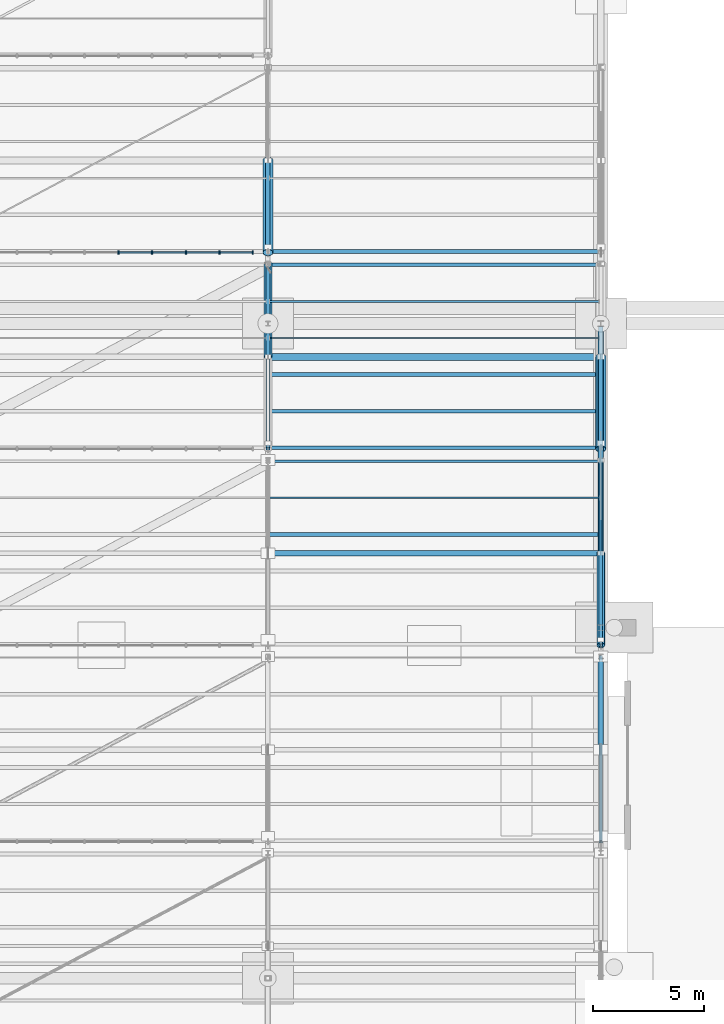
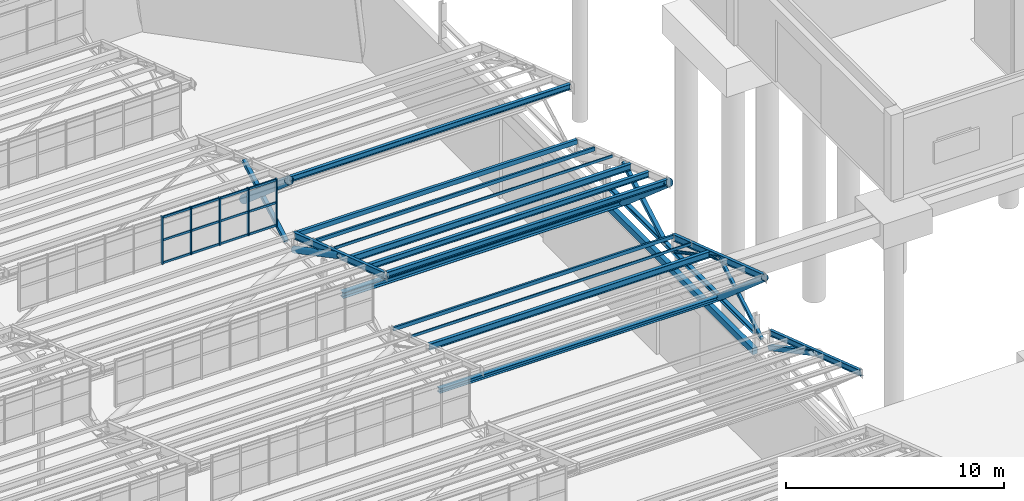
# One storey, part 124 of 285: 28 members, 15 beams, 1 element without a shape of its own.
"""IFC4 building model written with IfcOpenShell, lengths in metres."""

from ifc_helpers import new_model, si_unit, direction, frame, origin, origin_2d, place, context, subcontext, project, spatial, rectangle, hollow_rectangle, hollow_circle, i_section, extrude, material, material_profile, profile_set, type_object, element, aggregate, save


model = new_model("IFC4")

# Units and contexts
model_context = context("Model", 3, precision=1e-05, world=origin(), true_north=direction((0.0, 1.0)))
body_context = subcontext(model_context, "Body", "Model", "MODEL_VIEW")
ifc_project = project(units=[si_unit("LENGTHUNIT", "METRE"), si_unit("AREAUNIT", "SQUARE_METRE"), si_unit("VOLUMEUNIT", "CUBIC_METRE"), si_unit("PLANEANGLEUNIT", "RADIAN"), si_unit("MASSUNIT", "GRAM", prefix="KILO")], contexts=[model_context])

# Site, building, storey
site_placement = place(None, origin())
site = spatial("IfcSite", under=ifc_project, at=site_placement, CompositionType="ELEMENT")
building_placement = place(site_placement, origin())
building = spatial("IfcBuilding", under=site, at=building_placement, Name="Solanera Park Tramway Depot", CompositionType="ELEMENT")
storey_placement = place(building_placement, origin())
storey = spatial("IfcBuildingStorey", under=building, at=storey_placement, Name="L00", CompositionType="ELEMENT", Elevation=0.0)

# Curtain wall, members
ifc_material_1 = material(Name="Bronze-anodised thermally broken aluminium curtain wall", Category="aluminium")
curtain_wall_type = type_object("IfcCurtainWallType", Name="Sawtooth Clerestory Monitor Curtain Wall", PredefinedType="NOTDEFINED", material=ifc_material_1)
curtain_wall_placement = place(storey_placement, origin())
curtain_wall = element("IfcCurtainWall", 1, at=curtain_wall_placement, inside=storey, type_object=curtain_wall_type, Name="L00 Sawtooth Clerestory Monitor Curtain Wall #059", PredefinedType="NOTDEFINED")
ifc_material_2 = material(Name="Bronze-anodised structural aluminium 6063-T6", Category="aluminium")
ifc_material_profile_1 = material_profile(ifc_material_2, rectangle(XDim=0.06494140625, YDim=0.14990234375, at=origin_2d()), Name="Curtain Wall Mullion 65x150")
ifc_profile_set_1 = profile_set([ifc_material_profile_1], Name="Bronze-anodised structural aluminium 6063-T6")
member_type_1 = type_object("IfcMemberType", Name="Curtain Wall Mullion 65x150", PredefinedType="MULLION", material=ifc_profile_set_1)
member_1_placement = place(storey_placement, frame((128.260986328125, 117.699951171875, 7.75), z_axis=(0.0, 0.0, 1.0), x_axis=(1.0, 0.0, 0.0)))
member_1 = element("IfcMember", 2, at=member_1_placement, type_object=member_type_1, Name="CW-L00-059 Mullion 6", PredefinedType="MULLION", context=body_context, shape_type="SweptSolid", body=[
    extrude(rectangle(XDim=0.06494140625, YDim=0.14990234375, at=origin_2d()), origin(), (0.0, 0.0, 1.0), 2.6611328125),
])
member_2_placement = place(storey_placement, frame((129.783203125, 117.699951171875, 7.75), z_axis=(0.0, 0.0, 1.0), x_axis=(1.0, 0.0, 0.0)))
member_2 = element("IfcMember", 3, at=member_2_placement, type_object=member_type_1, Name="CW-L00-059 Mullion 7", PredefinedType="MULLION", context=body_context, shape_type="SweptSolid", body=[
    extrude(rectangle(XDim=0.06494140625, YDim=0.14990234375, at=origin_2d()), origin(), (0.0, 0.0, 1.0), 2.6611328125),
])
member_3_placement = place(storey_placement, frame((131.3056640625, 117.699951171875, 7.75), z_axis=(0.0, 0.0, 1.0), x_axis=(1.0, 0.0, 0.0)))
member_3 = element("IfcMember", 4, at=member_3_placement, type_object=member_type_1, Name="CW-L00-059 Mullion 8", PredefinedType="MULLION", context=body_context, shape_type="SweptSolid", body=[
    extrude(rectangle(XDim=0.06494140625, YDim=0.14990234375, at=origin_2d()), origin(), (0.0, 0.0, 1.0), 2.6611328125),
])
member_4_placement = place(storey_placement, frame((132.827880859375, 117.699951171875, 7.75), z_axis=(0.0, 0.0, 1.0), x_axis=(1.0, 0.0, 0.0)))
member_4 = element("IfcMember", 5, at=member_4_placement, type_object=member_type_1, Name="CW-L00-059 Mullion 9", PredefinedType="MULLION", context=body_context, shape_type="SweptSolid", body=[
    extrude(rectangle(XDim=0.06494140625, YDim=0.14990234375, at=origin_2d()), origin(), (0.0, 0.0, 1.0), 2.6611328125),
])
member_5_placement = place(storey_placement, frame((134.3173828125, 117.699951171875, 7.75), z_axis=(0.0, 0.0, 1.0), x_axis=(1.0, 0.0, 0.0)))
member_5 = element("IfcMember", 6, at=member_5_placement, type_object=member_type_1, Name="CW-L00-059 Mullion 10", PredefinedType="MULLION", context=body_context, shape_type="SweptSolid", body=[
    extrude(rectangle(XDim=0.06494140625, YDim=0.14990234375, at=origin_2d()), origin(), (0.0, 0.0, 1.0), 2.6611328125),
])
ifc_material_3 = material(Name="Bronze-anodised structural aluminium 6063-T6", Category="aluminium")
ifc_material_profile_2 = material_profile(ifc_material_3, rectangle(XDim=0.06494140625, YDim=0.1201171875, at=origin_2d()), Name="Curtain Wall Transom 65x120")
ifc_profile_set_2 = profile_set([ifc_material_profile_2], Name="Bronze-anodised structural aluminium 6063-T6")
member_type_2 = type_object("IfcMemberType", Name="Curtain Wall Transom 65x120", PredefinedType="USERDEFINED", material=ifc_profile_set_2)
member_6_placement = place(storey_placement, frame((128.2890625, 117.699951171875, 7.81005859375), z_axis=(1.0, 0.0, 0.0), x_axis=(0.0, 1.0, 0.0)))
member_6 = element("IfcMember", 7, at=member_6_placement, type_object=member_type_2, Name="CW-L00-059 Transom R1.C6", ObjectType="TRANSOM", PredefinedType="USERDEFINED", context=body_context, shape_type="SweptSolid", body=[
    extrude(rectangle(XDim=0.06494140625, YDim=0.1201171875, at=origin_2d()), origin(), (0.0, 0.0, 1.0), 1.46630859375),
])
member_7_placement = place(storey_placement, frame((129.811279296875, 117.699951171875, 7.81005859375), z_axis=(1.0, 0.0, 0.0), x_axis=(0.0, 1.0, 0.0)))
member_7 = element("IfcMember", 8, at=member_7_placement, type_object=member_type_2, Name="CW-L00-059 Transom R1.C7", ObjectType="TRANSOM", PredefinedType="USERDEFINED", context=body_context, shape_type="SweptSolid", body=[
    extrude(rectangle(XDim=0.06494140625, YDim=0.1201171875, at=origin_2d()), origin(), (0.0, 0.0, 1.0), 1.46630859375),
])
member_8_placement = place(storey_placement, frame((131.33349609375, 117.699951171875, 7.81005859375), z_axis=(1.0, 0.0, 0.0), x_axis=(0.0, 1.0, 0.0)))
member_8 = element("IfcMember", 9, at=member_8_placement, type_object=member_type_2, Name="CW-L00-059 Transom R1.C8", ObjectType="TRANSOM", PredefinedType="USERDEFINED", context=body_context, shape_type="SweptSolid", body=[
    extrude(rectangle(XDim=0.06494140625, YDim=0.1201171875, at=origin_2d()), origin(), (0.0, 0.0, 1.0), 1.46630859375),
])
member_9_placement = place(storey_placement, frame((132.855712890625, 117.699951171875, 7.81005859375), z_axis=(1.0, 0.0, 0.0), x_axis=(0.0, 1.0, 0.0)))
member_9 = element("IfcMember", 10, at=member_9_placement, type_object=member_type_2, Name="CW-L00-059 Transom R1.C9", ObjectType="TRANSOM", PredefinedType="USERDEFINED", context=body_context, shape_type="SweptSolid", body=[
    extrude(rectangle(XDim=0.06494140625, YDim=0.1201171875, at=origin_2d()), origin(), (0.0, 0.0, 1.0), 1.433837890625),
])
member_10_placement = place(storey_placement, frame((128.2890625, 117.699951171875, 9.08056640625), z_axis=(1.0, 0.0, 0.0), x_axis=(0.0, 1.0, 0.0)))
member_10 = element("IfcMember", 11, at=member_10_placement, type_object=member_type_2, Name="CW-L00-059 Transom R2.C6", ObjectType="TRANSOM", PredefinedType="USERDEFINED", context=body_context, shape_type="SweptSolid", body=[
    extrude(rectangle(XDim=0.06494140625, YDim=0.1201171875, at=origin_2d()), origin(), (0.0, 0.0, 1.0), 1.46630859375),
])
member_11_placement = place(storey_placement, frame((129.811279296875, 117.699951171875, 9.08056640625), z_axis=(1.0, 0.0, 0.0), x_axis=(0.0, 1.0, 0.0)))
member_11 = element("IfcMember", 12, at=member_11_placement, type_object=member_type_2, Name="CW-L00-059 Transom R2.C7", ObjectType="TRANSOM", PredefinedType="USERDEFINED", context=body_context, shape_type="SweptSolid", body=[
    extrude(rectangle(XDim=0.06494140625, YDim=0.1201171875, at=origin_2d()), origin(), (0.0, 0.0, 1.0), 1.46630859375),
])
member_12_placement = place(storey_placement, frame((131.33349609375, 117.699951171875, 9.08056640625), z_axis=(1.0, 0.0, 0.0), x_axis=(0.0, 1.0, 0.0)))
member_12 = element("IfcMember", 13, at=member_12_placement, type_object=member_type_2, Name="CW-L00-059 Transom R2.C8", ObjectType="TRANSOM", PredefinedType="USERDEFINED", context=body_context, shape_type="SweptSolid", body=[
    extrude(rectangle(XDim=0.06494140625, YDim=0.1201171875, at=origin_2d()), origin(), (0.0, 0.0, 1.0), 1.46630859375),
])
member_13_placement = place(storey_placement, frame((132.855712890625, 117.699951171875, 9.08056640625), z_axis=(1.0, 0.0, 0.0), x_axis=(0.0, 1.0, 0.0)))
member_13 = element("IfcMember", 14, at=member_13_placement, type_object=member_type_2, Name="CW-L00-059 Transom R2.C9", ObjectType="TRANSOM", PredefinedType="USERDEFINED", context=body_context, shape_type="SweptSolid", body=[
    extrude(rectangle(XDim=0.06494140625, YDim=0.1201171875, at=origin_2d()), origin(), (0.0, 0.0, 1.0), 1.433837890625),
])
member_14_placement = place(storey_placement, frame((128.2890625, 117.699951171875, 10.351318359375), z_axis=(1.0, 0.0, 0.0), x_axis=(0.0, 1.0, 0.0)))
member_14 = element("IfcMember", 15, at=member_14_placement, type_object=member_type_2, Name="CW-L00-059 Transom R3.C6", ObjectType="TRANSOM", PredefinedType="USERDEFINED", context=body_context, shape_type="SweptSolid", body=[
    extrude(rectangle(XDim=0.06494140625, YDim=0.1201171875, at=origin_2d()), origin(), (0.0, 0.0, 1.0), 1.46630859375),
])
member_15_placement = place(storey_placement, frame((129.811279296875, 117.699951171875, 10.351318359375), z_axis=(1.0, 0.0, 0.0), x_axis=(0.0, 1.0, 0.0)))
member_15 = element("IfcMember", 16, at=member_15_placement, type_object=member_type_2, Name="CW-L00-059 Transom R3.C7", ObjectType="TRANSOM", PredefinedType="USERDEFINED", context=body_context, shape_type="SweptSolid", body=[
    extrude(rectangle(XDim=0.06494140625, YDim=0.1201171875, at=origin_2d()), origin(), (0.0, 0.0, 1.0), 1.46630859375),
])
member_16_placement = place(storey_placement, frame((131.33349609375, 117.699951171875, 10.351318359375), z_axis=(1.0, 0.0, 0.0), x_axis=(0.0, 1.0, 0.0)))
member_16 = element("IfcMember", 17, at=member_16_placement, type_object=member_type_2, Name="CW-L00-059 Transom R3.C8", ObjectType="TRANSOM", PredefinedType="USERDEFINED", context=body_context, shape_type="SweptSolid", body=[
    extrude(rectangle(XDim=0.06494140625, YDim=0.1201171875, at=origin_2d()), origin(), (0.0, 0.0, 1.0), 1.46630859375),
])
member_17_placement = place(storey_placement, frame((132.855712890625, 117.699951171875, 10.351318359375), z_axis=(1.0, 0.0, 0.0), x_axis=(0.0, 1.0, 0.0)))
member_17 = element("IfcMember", 18, at=member_17_placement, type_object=member_type_2, Name="CW-L00-059 Transom R3.C9", ObjectType="TRANSOM", PredefinedType="USERDEFINED", context=body_context, shape_type="SweptSolid", body=[
    extrude(rectangle(XDim=0.06494140625, YDim=0.1201171875, at=origin_2d()), origin(), (0.0, 0.0, 1.0), 1.433837890625),
])
aggregate(curtain_wall, [member_1, member_2, member_3, member_4, member_5, member_6, member_7, member_8, member_9, member_10, member_11, member_12, member_13, member_14, member_15, member_16, member_17])

# Beam
ifc_material_4 = material(Name="Concrete N40 (C40/50)", Category="concrete")
ifc_material_profile_3 = material_profile(ifc_material_4, rectangle(XDim=0.25, YDim=0.35009765625, at=origin_2d()), Name="LNT 250x350")
ifc_profile_set_3 = profile_set([ifc_material_profile_3], Name="Concrete N40 (C40/50)")
beam_type_1 = type_object("IfcBeamType", Name="Opening Lintel Beam LNT 250x350", PredefinedType="LINTEL", material=ifc_profile_set_3)
beam_1_placement = place(storey_placement, frame((150.0, 100.919921875, 5.425048828125), z_axis=(0.0, 1.0, 0.0), x_axis=(-1.0, 0.0, 0.0)))
element("IfcBeam", 19, at=beam_1_placement, inside=storey, type_object=beam_type_1, Name="L00 Portal Transom Lintel LNT 250x350 #0300", PredefinedType="LINTEL", context=body_context, shape_type="SweptSolid", body=[
    extrude(rectangle(XDim=0.25, YDim=0.35009765625, at=origin_2d()), origin(), (0.0, 0.0, 1.0), 13.4599609375),
])

# Members
ifc_material_5 = material(Name="Steel AS/NZS 1163 Grade C350L0", Category="steel")
ifc_material_profile_4 = material_profile(ifc_material_5, hollow_rectangle(XDim=0.14990234375, YDim=0.14990234375, WallThickness=0.006103515625, at=origin_2d()), Name="150x150x6.0 SHS")
ifc_profile_set_4 = profile_set([ifc_material_profile_4], Name="Steel AS/NZS 1163 Grade C350L0")
member_type_3 = type_object("IfcMemberType", Name="Roof Gantry Compression Strut 150x150x6.0 SHS", PredefinedType="STRUT", material=ifc_profile_set_4)
member_18_placement = place(storey_placement, frame((150.0, 100.25, 6.5), z_axis=(0.0, 0.869202540842, 0.49445620938), x_axis=(-1.0, 0.0, 0.0)))
element("IfcMember", 20, at=member_18_placement, inside=storey, type_object=member_type_3, Name="Sawtooth ROOF TRUSS Strut 150x150x6.0 SHS #0258", PredefinedType="STRUT", context=body_context, shape_type="SweptSolid", body=[
    extrude(hollow_rectangle(XDim=0.14990234375, YDim=0.14990234375, WallThickness=0.006103515625, at=origin_2d()), origin(), (0.0, 0.0, 1.0), 4.48681640625),
])
ifc_material_6 = material(Name="Steel AS/NZS 1163 Grade C350L0", Category="steel")
ifc_material_profile_5 = material_profile(ifc_material_6, hollow_rectangle(XDim=0.199951171875, YDim=0.199951171875, WallThickness=0.008056640625, at=origin_2d()), Name="200x200x8.0 SHS")
ifc_profile_set_5 = profile_set([ifc_material_profile_5], Name="Steel AS/NZS 1163 Grade C350L0")
member_type_4 = type_object("IfcMemberType", Name="Roof Gantry Compression Strut 200x200x8.0 SHS", PredefinedType="STRUT", material=ifc_profile_set_5)
for number, where, z_axis, x_axis, name in (
    (21, (150.0, 109.10009765625, 6.5), (0.0, 0.871630906744, 0.490162791742), (-1.0, 0.0, 0.0), "Sawtooth ROOF TRUSS Strut 200x200x8.0 SHS #0305"),
    (22, (135.0, 117.949951171875, 6.5), (0.0, 0.871644015716, 0.490139480011), (-1.0, 0.0, 0.0), "Sawtooth ROOF TRUSS Strut 200x200x8.0 SHS #0349"),
):
    element("IfcMember", number, at=place(storey_placement, frame(where, z_axis=z_axis, x_axis=x_axis)), inside=storey, type_object=member_type_4, Name=name, PredefinedType="STRUT", context=body_context, shape_type="SweptSolid", body=[
        extrude(hollow_rectangle(XDim=0.199951171875, YDim=0.199951171875, WallThickness=0.008056640625, at=origin_2d()), origin(), (0.0, 0.0, 1.0), 4.474365234375),
    ])
ifc_material_7 = material(Name="Steel AS/NZS 3679.1 Grade 350", Category="steel")
ifc_material_profile_6 = material_profile(ifc_material_7, i_section(OverallWidth=0.25390625, OverallDepth=0.25390625, WebThickness=0.008544921875, FlangeThickness=0.01416015625, at=origin_2d()), Name="250UC72.9")
ifc_profile_set_6 = profile_set([ifc_material_profile_6], Name="Steel AS/NZS 3679.1 Grade 350")
member_type_5 = type_object("IfcMemberType", Name="Secondary Truss Chord 250UC72.9", PredefinedType="CHORD", material=ifc_profile_set_6)
member_19_placement = place(storey_placement, frame((135.087890625, 104.14990234375, 6.5), z_axis=(1.0, 0.0, 0.0), x_axis=(0.0, 1.0, 0.0)))
element("IfcMember", 23, at=member_19_placement, inside=storey, type_object=member_type_5, Name="Sawtooth Longitudinal Tie Chord 250UC72.9 #0272", PredefinedType="CHORD", context=body_context, shape_type="SweptSolid", body=[
    extrude(i_section(OverallWidth=0.25390625, OverallDepth=0.25390625, WebThickness=0.008544921875, FlangeThickness=0.01416015625, at=origin_2d()), origin(), (0.0, 0.0, 1.0), 14.82421875),
])
ifc_material_8 = material(Name="Steel AS/NZS 3679.1 Grade 350", Category="steel")
ifc_material_profile_7 = material_profile(ifc_material_8, i_section(OverallWidth=0.306884765625, OverallDepth=0.314697265625, WebThickness=0.011962890625, FlangeThickness=0.018798828125, at=origin_2d()), Name="310UC118")
ifc_profile_set_7 = profile_set([ifc_material_profile_7], Name="Steel AS/NZS 3679.1 Grade 350")
member_type_6 = type_object("IfcMemberType", Name="Secondary Truss Chord 310UC118", PredefinedType="CHORD", material=ifc_profile_set_7)
member_20_placement = place(storey_placement, frame((135.087890625, 113.0, 6.5), z_axis=(1.0, 0.0, 0.0), x_axis=(0.0, 1.0, 0.0)))
element("IfcMember", 24, at=member_20_placement, inside=storey, type_object=member_type_6, Name="Sawtooth Longitudinal Tie Chord 310UC118 #0319", PredefinedType="CHORD", context=body_context, shape_type="SweptSolid", body=[
    extrude(i_section(OverallWidth=0.306884765625, OverallDepth=0.314697265625, WebThickness=0.011962890625, FlangeThickness=0.018798828125, at=origin_2d()), origin(), (0.0, 0.0, 1.0), 14.82421875),
])

# Beams
ifc_material_9 = material(Name="Steel AS/NZS 3679.1 Grade 350", Category="steel")
ifc_material_profile_8 = material_profile(ifc_material_9, i_section(OverallWidth=0.205078125, OverallDepth=0.209716796875, WebThickness=0.00927734375, FlangeThickness=0.01416015625, at=origin_2d()), Name="200UC59.5")
ifc_profile_set_8 = profile_set([ifc_material_profile_8], Name="Steel AS/NZS 3679.1 Grade 350")
beam_type_2 = type_object("IfcBeamType", Name="Steel Beam 200UC59.5", PredefinedType="BEAM", material=ifc_profile_set_8)
beam_2_placement = place(storey_placement, frame((150.0, 100.927001953125, 6.5), z_axis=(0.0, 1.0, 0.0), x_axis=(-1.0, 0.0, 0.0)))
element("IfcBeam", 25, at=beam_2_placement, inside=storey, type_object=beam_type_2, Name="Sawtooth ROOF TRUSS Bottom Chord 200UC59.5 #0399", PredefinedType="BEAM", context=body_context, shape_type="SweptSolid", body=[
    extrude(i_section(OverallWidth=0.205078125, OverallDepth=0.209716796875, WebThickness=0.00927734375, FlangeThickness=0.01416015625, at=origin_2d()), origin(), (0.0, 0.0, 1.0), 13.4453125),
])
ifc_material_10 = material(Name="Steel AS/NZS 3679.1 Grade 350", Category="steel")
ifc_material_profile_9 = material_profile(ifc_material_10, i_section(OverallWidth=0.166015625, OverallDepth=0.30712890625, WebThickness=0.006591796875, FlangeThickness=0.01171875, at=origin_2d()), Name="310UB46.2")
ifc_profile_set_9 = profile_set([ifc_material_profile_9], Name="Steel AS/NZS 3679.1 Grade 350")
beam_type_3 = type_object("IfcBeamType", Name="Steel Beam 310UB46.2", PredefinedType="BEAM", material=ifc_profile_set_9)
beam_3_placement = place(storey_placement, frame((150.0, 91.14990234375, 10.131103515625), z_axis=(0.0, 0.948330572612, -0.317283981709), x_axis=(-1.0, 0.0, 0.0)))
element("IfcBeam", 26, at=beam_3_placement, inside=storey, type_object=beam_type_3, Name="Sawtooth ROOF TRUSS Top Rafter 310UB46.2 B05-T11", PredefinedType="BEAM", context=body_context, shape_type="SweptSolid", body=[
    extrude(i_section(OverallWidth=0.166015625, OverallDepth=0.30712890625, WebThickness=0.006591796875, FlangeThickness=0.01171875, at=origin_2d()), origin(), (0.0, 0.0, 1.0), 8.804931640625),
])
ifc_material_11 = material(Name="Steel AS/NZS 3679.1 Grade 350", Category="steel")
ifc_material_profile_10 = material_profile(ifc_material_11, i_section(OverallWidth=0.17138671875, OverallDepth=0.355712890625, WebThickness=0.00732421875, FlangeThickness=0.011474609375, at=origin_2d()), Name="360UB50.7")
ifc_profile_set_10 = profile_set([ifc_material_profile_10], Name="Steel AS/NZS 3679.1 Grade 350")
beam_type_4 = type_object("IfcBeamType", Name="Steel Beam 360UB50.7", PredefinedType="BEAM", material=ifc_profile_set_10)
beam_4_placement = place(storey_placement, frame((150.0, 100.0, 10.10693359375), z_axis=(0.0, 0.948322229475, -0.317308917435), x_axis=(-1.0, 0.0, 0.0)))
element("IfcBeam", 27, at=beam_4_placement, inside=storey, type_object=beam_type_4, Name="Sawtooth ROOF TRUSS Top Rafter 360UB50.7 B06-T11", PredefinedType="BEAM", context=body_context, shape_type="SweptSolid", body=[
    extrude(i_section(OverallWidth=0.17138671875, OverallDepth=0.355712890625, WebThickness=0.00732421875, FlangeThickness=0.011474609375, at=origin_2d()), origin(), (0.0, 0.0, 1.0), 8.80517578125),
])
beam_5_placement = place(storey_placement, frame((135.0, 108.85009765625, 10.10693359375), z_axis=(0.0, 0.948319437663, -0.317317261034), x_axis=(-1.0, 0.0, 0.0)))
element("IfcBeam", 28, at=beam_5_placement, inside=storey, type_object=beam_type_4, Name="Sawtooth ROOF TRUSS Top Rafter 360UB50.7 B07-T10", PredefinedType="BEAM", context=body_context, shape_type="SweptSolid", body=[
    extrude(i_section(OverallWidth=0.17138671875, OverallDepth=0.355712890625, WebThickness=0.00732421875, FlangeThickness=0.011474609375, at=origin_2d()), origin(), (0.0, 0.0, 1.0), 8.804931640625),
])
ifc_material_12 = material(Name="Steel AS/NZS 1163 Grade C350L0", Category="steel")
ifc_material_profile_11 = material_profile(ifc_material_12, hollow_rectangle(XDim=0.050048828125, YDim=0.14990234375, WallThickness=0.0048828125, at=origin_2d()), Name="150x50x5.0 RHS")
ifc_profile_set_11 = profile_set([ifc_material_profile_11], Name="Steel AS/NZS 1163 Grade C350L0")
beam_type_5 = type_object("IfcBeamType", Name="Steel Joist Purlin 150x50x5.0 RHS", PredefinedType="JOIST", material=ifc_profile_set_11)
beam_6_placement = place(storey_placement, frame((135.074951171875, 106.64990234375, 7.998291015625), z_axis=(1.0, 0.0, 0.0), x_axis=(0.0, 1.0, 0.0)))
element("IfcBeam", 29, at=beam_6_placement, inside=storey, type_object=beam_type_5, Name="Sawtooth Roof Purlin 150x50x5.0 RHS B06.5", PredefinedType="JOIST", context=body_context, shape_type="SweptSolid", body=[
    extrude(hollow_rectangle(XDim=0.050048828125, YDim=0.14990234375, WallThickness=0.0048828125, at=origin_2d()), origin(), (0.0, 0.0, 1.0), 14.84716796875),
])
beam_7_placement = place(storey_placement, frame((135.077880859375, 113.85009765625, 8.550537109375), z_axis=(1.0, 0.0, 0.0), x_axis=(0.0, 1.0, 0.0)))
element("IfcBeam", 30, at=beam_7_placement, inside=storey, type_object=beam_type_5, Name="Sawtooth Roof Purlin 150x50x5.0 RHS B07.4", PredefinedType="JOIST", context=body_context, shape_type="SweptSolid", body=[
    extrude(hollow_rectangle(XDim=0.050048828125, YDim=0.14990234375, WallThickness=0.0048828125, at=origin_2d()), origin(), (0.0, 0.0, 1.0), 14.84130859375),
])
ifc_material_13 = material(Name="Steel AS/NZS 1163 Grade C350L0", Category="steel")
ifc_material_profile_12 = material_profile(ifc_material_13, hollow_rectangle(XDim=0.10009765625, YDim=0.199951171875, WallThickness=0.006103515625, at=origin_2d()), Name="200x100x6.0 RHS")
ifc_profile_set_12 = profile_set([ifc_material_profile_12], Name="Steel AS/NZS 1163 Grade C350L0")
beam_type_6 = type_object("IfcBeamType", Name="Steel Joist Purlin 200x100x6.0 RHS", PredefinedType="JOIST", material=ifc_profile_set_12)
beam_8_placement = place(storey_placement, frame((135.074951171875, 108.300048828125, 7.412841796875), z_axis=(1.0, 0.0, 0.0), x_axis=(0.0, 1.0, 0.0)))
element("IfcBeam", 31, at=beam_8_placement, inside=storey, type_object=beam_type_6, Name="Sawtooth Roof Purlin 200x100x6.0 RHS B06.6", PredefinedType="JOIST", context=body_context, shape_type="SweptSolid", body=[
    extrude(hollow_rectangle(XDim=0.10009765625, YDim=0.199951171875, WallThickness=0.006103515625, at=origin_2d()), origin(), (0.0, 0.0, 1.0), 14.84716796875),
])
beam_9_placement = place(storey_placement, frame((135.077880859375, 115.5, 7.965087890625), z_axis=(1.0, 0.0, 0.0), x_axis=(0.0, 1.0, 0.0)))
element("IfcBeam", 32, at=beam_9_placement, inside=storey, type_object=beam_type_6, Name="Sawtooth Roof Purlin 200x100x6.0 RHS B07.5", PredefinedType="JOIST", context=body_context, shape_type="SweptSolid", body=[
    extrude(hollow_rectangle(XDim=0.10009765625, YDim=0.199951171875, WallThickness=0.006103515625, at=origin_2d()), origin(), (0.0, 0.0, 1.0), 14.84130859375),
])
ifc_material_14 = material(Name="Steel AS/NZS 1163 Grade C350L0", Category="steel")
ifc_material_profile_13 = material_profile(ifc_material_14, hollow_rectangle(XDim=0.14990234375, YDim=0.25, WallThickness=0.008056640625, at=origin_2d()), Name="250x150x8.0 RHS")
ifc_profile_set_13 = profile_set([ifc_material_profile_13], Name="Steel AS/NZS 1163 Grade C350L0")
beam_type_7 = type_object("IfcBeamType", Name="Steel Joist Purlin 250x150x8.0 RHS", PredefinedType="JOIST", material=ifc_profile_set_13)
beam_10_placement = place(storey_placement, frame((135.077880859375, 117.14990234375, 7.379638671875), z_axis=(1.0, 0.0, 0.0), x_axis=(0.0, 1.0, 0.0)))
element("IfcBeam", 33, at=beam_10_placement, inside=storey, type_object=beam_type_7, Name="Sawtooth Roof Purlin 250x150x8.0 RHS B07.6", PredefinedType="JOIST", context=body_context, shape_type="SweptSolid", body=[
    extrude(hollow_rectangle(XDim=0.14990234375, YDim=0.25, WallThickness=0.008056640625, at=origin_2d()), origin(), (0.0, 0.0, 1.0), 14.84130859375),
])
ifc_material_15 = material(Name="Steel AS/NZS 3679.1 Grade 350", Category="steel")
ifc_material_profile_14 = material_profile(ifc_material_15, i_section(OverallWidth=0.1650390625, OverallDepth=0.3037109375, WebThickness=0.006103515625, FlangeThickness=0.01025390625, at=origin_2d()), Name="310UB40.4")
ifc_profile_set_14 = profile_set([ifc_material_profile_14], Name="Steel AS/NZS 3679.1 Grade 350")
beam_type_8 = type_object("IfcBeamType", Name="Steel Joist Purlin 310UB40.4", PredefinedType="JOIST", material=ifc_profile_set_14)
beam_11_placement = place(storey_placement, frame((135.077880859375, 108.89990234375, 10.110595703125), z_axis=(1.0, 0.0, 0.0), x_axis=(0.0, 1.0, 0.0)))
element("IfcBeam", 34, at=beam_11_placement, inside=storey, type_object=beam_type_8, Name="Sawtooth Roof Purlin 310UB40.4 B07.1", PredefinedType="JOIST", context=body_context, shape_type="SweptSolid", body=[
    extrude(i_section(OverallWidth=0.1650390625, OverallDepth=0.3037109375, WebThickness=0.006103515625, FlangeThickness=0.01025390625, at=origin_2d()), origin(), (0.0, 0.0, 1.0), 14.84130859375),
])
ifc_material_16 = material(Name="Steel AS/NZS 3679.1 Grade 350", Category="steel")
ifc_material_profile_15 = material_profile(ifc_material_16, i_section(OverallWidth=0.166015625, OverallDepth=0.30712890625, WebThickness=0.006591796875, FlangeThickness=0.01171875, at=origin_2d()), Name="310UB46.2")
ifc_profile_set_15 = profile_set([ifc_material_profile_15], Name="Steel AS/NZS 3679.1 Grade 350")
beam_type_9 = type_object("IfcBeamType", Name="Steel Joist Purlin 310UB46.2", PredefinedType="JOIST", material=ifc_profile_set_15)
beam_12_placement = place(storey_placement, frame((135.077880859375, 110.550048828125, 9.556640625), z_axis=(1.0, 0.0, 0.0), x_axis=(0.0, 1.0, 0.0)))
element("IfcBeam", 35, at=beam_12_placement, inside=storey, type_object=beam_type_9, Name="Sawtooth Roof Purlin 310UB46.2 B07.2", PredefinedType="JOIST", context=body_context, shape_type="SweptSolid", body=[
    extrude(i_section(OverallWidth=0.166015625, OverallDepth=0.30712890625, WebThickness=0.006591796875, FlangeThickness=0.01171875, at=origin_2d()), origin(), (0.0, 0.0, 1.0), 14.84130859375),
])
beam_13_placement = place(storey_placement, frame((135.080810546875, 117.75, 10.108642578125), z_axis=(1.0, 0.0, 0.0), x_axis=(0.0, 1.0, 0.0)))
element("IfcBeam", 36, at=beam_13_placement, inside=storey, type_object=beam_type_9, Name="Sawtooth Roof Purlin 310UB46.2 B08.1", PredefinedType="JOIST", context=body_context, shape_type="SweptSolid", body=[
    extrude(i_section(OverallWidth=0.166015625, OverallDepth=0.30712890625, WebThickness=0.006591796875, FlangeThickness=0.01171875, at=origin_2d()), origin(), (0.0, 0.0, 1.0), 14.83203125),
])
ifc_material_17 = material(Name="Steel AS/NZS 3679.1 Grade 350", Category="steel")
ifc_material_profile_16 = material_profile(ifc_material_17, i_section(OverallWidth=0.17138671875, OverallDepth=0.355712890625, WebThickness=0.00732421875, FlangeThickness=0.011474609375, at=origin_2d()), Name="360UB50.7")
ifc_profile_set_16 = profile_set([ifc_material_profile_16], Name="Steel AS/NZS 3679.1 Grade 350")
beam_type_10 = type_object("IfcBeamType", Name="Steel Joist Purlin 360UB50.7", PredefinedType="JOIST", material=ifc_profile_set_16)
beam_14_placement = place(storey_placement, frame((135.074951171875, 105.0, 8.42724609375), z_axis=(1.0, 0.0, 0.0), x_axis=(0.0, 1.0, 0.0)))
element("IfcBeam", 37, at=beam_14_placement, inside=storey, type_object=beam_type_10, Name="Sawtooth Roof Purlin 360UB50.7 B06.4", PredefinedType="JOIST", context=body_context, shape_type="SweptSolid", body=[
    extrude(i_section(OverallWidth=0.17138671875, OverallDepth=0.355712890625, WebThickness=0.00732421875, FlangeThickness=0.011474609375, at=origin_2d()), origin(), (0.0, 0.0, 1.0), 14.84716796875),
])
beam_15_placement = place(storey_placement, frame((135.077880859375, 112.199951171875, 8.9794921875), z_axis=(1.0, 0.0, 0.0), x_axis=(0.0, 1.0, 0.0)))
element("IfcBeam", 38, at=beam_15_placement, inside=storey, type_object=beam_type_10, Name="Sawtooth Roof Purlin 360UB50.7 B07.3", PredefinedType="JOIST", context=body_context, shape_type="SweptSolid", body=[
    extrude(i_section(OverallWidth=0.17138671875, OverallDepth=0.355712890625, WebThickness=0.00732421875, FlangeThickness=0.011474609375, at=origin_2d()), origin(), (0.0, 0.0, 1.0), 14.84130859375),
])

# Members
ifc_material_18 = material(Name="Steel AS/NZS 1163 Grade C350L0", Category="steel")
ifc_material_profile_17 = material_profile(ifc_material_18, hollow_circle(Radius=0.084228515625, WallThickness=0.00634765625, at=origin_2d()), Name="168.3x6.4 CHS")
ifc_profile_set_17 = profile_set([ifc_material_profile_17], Name="Steel AS/NZS 1163 Grade C350L0")
member_type_7 = type_object("IfcMemberType", Name="Truss and Frame Brace 168.3x6.4 CHS", PredefinedType="BRACE", material=ifc_profile_set_17)
member_21_placement = place(storey_placement, frame((150.0, 108.35009765625, 6.5), z_axis=(0.0, -0.88423383461, 0.467044457981), x_axis=(1.0, 0.0, 0.0)))
element("IfcMember", 39, at=member_21_placement, inside=storey, type_object=member_type_7, Name="Sawtooth ROOF TRUSS Diagonal 168.3x6.4 CHS #0257", PredefinedType="BRACE", context=body_context, shape_type="SweptSolid", body=[
    extrude(hollow_circle(Radius=0.084228515625, WallThickness=0.00634765625, at=origin_2d()), origin(), (0.0, 0.0, 1.0), 4.75),
])
ifc_material_19 = material(Name="Steel AS/NZS 1163 Grade C350L0", Category="steel")
ifc_material_profile_18 = material_profile(ifc_material_19, hollow_rectangle(XDim=0.25, YDim=0.25, WallThickness=0.010009765625, at=origin_2d()), Name="250x250x10.0 SHS")
ifc_profile_set_18 = profile_set([ifc_material_profile_18], Name="Steel AS/NZS 1163 Grade C350L0")
member_type_8 = type_object("IfcMemberType", Name="Truss and Frame Brace 250x250x10.0 SHS", PredefinedType="BRACE", material=ifc_profile_set_18)
member_22_placement = place(storey_placement, frame((150.0, 99.5, 6.5), z_axis=(0.0, -0.882117205046, 0.471029974165), x_axis=(1.0, 0.0, 0.0)))
element("IfcMember", 40, at=member_22_placement, inside=storey, type_object=member_type_8, Name="Sawtooth ROOF TRUSS Diagonal 250x250x10.0 SHS #0210", PredefinedType="BRACE", context=body_context, shape_type="SweptSolid", body=[
    extrude(hollow_rectangle(XDim=0.25, YDim=0.25, WallThickness=0.010009765625, at=origin_2d()), origin(), (0.0, 0.0, 1.0), 4.76123046875),
])
ifc_material_20 = material(Name="Steel AS/NZS 1163 Grade C350L0", Category="steel")
ifc_material_profile_19 = material_profile(ifc_material_20, hollow_circle(Radius=0.177734375, WallThickness=0.0126953125, at=origin_2d()), Name="355.6x12.7 CHS")
ifc_profile_set_19 = profile_set([ifc_material_profile_19], Name="Steel AS/NZS 1163 Grade C350L0")
member_type_9 = type_object("IfcMemberType", Name="Truss and Frame Brace 355.6x12.7 CHS", PredefinedType="BRACE", material=ifc_profile_set_19)
member_23_placement = place(storey_placement, frame((150.0, 104.14990234375, 6.5), z_axis=(0.0, -0.754756538157, 0.656005006162), x_axis=(1.0, 0.0, 0.0)))
element("IfcMember", 41, at=member_23_placement, inside=storey, type_object=member_type_9, Name="Sawtooth ROOF TRUSS Web Brace 355.6x12.7 CHS #0256", PredefinedType="BRACE", context=body_context, shape_type="SweptSolid", body=[
    extrude(hollow_circle(Radius=0.177734375, WallThickness=0.0126953125, at=origin_2d()), origin(), (0.0, 0.0, 1.0), 5.498291015625),
])
member_24_placement = place(storey_placement, frame((135.0, 117.199951171875, 6.5), z_axis=(0.0, -0.884222622593, 0.467065684561), x_axis=(1.0, 0.0, 0.0)))
element("IfcMember", 42, at=member_24_placement, inside=storey, type_object=member_type_9, Name="Sawtooth ROOF TRUSS Diagonal 355.6x12.7 CHS #0301", PredefinedType="BRACE", context=body_context, shape_type="SweptSolid", body=[
    extrude(hollow_circle(Radius=0.177734375, WallThickness=0.0126953125, at=origin_2d()), origin(), (0.0, 0.0, 1.0), 4.75),
])
ifc_material_21 = material(Name="Steel AS/NZS 1163 Grade C350L0", Category="steel")
ifc_material_profile_20 = material_profile(ifc_material_21, hollow_circle(Radius=0.228515625, WallThickness=0.0126953125, at=origin_2d()), Name="457.0x12.7 CHS")
ifc_profile_set_20 = profile_set([ifc_material_profile_20], Name="Steel AS/NZS 1163 Grade C350L0")
member_type_10 = type_object("IfcMemberType", Name="Truss and Frame Brace 457.0x12.7 CHS", PredefinedType="BRACE", material=ifc_profile_set_20)
member_25_placement = place(storey_placement, frame((150.0, 113.0, 6.5), z_axis=(0.0, -0.757045281618, 0.653362412127), x_axis=(1.0, 0.0, 0.0)))
element("IfcMember", 43, at=member_25_placement, inside=storey, type_object=member_type_10, Name="Sawtooth ROOF TRUSS Web Brace 457.0x12.7 CHS #0303", PredefinedType="BRACE", context=body_context, shape_type="SweptSolid", body=[
    extrude(hollow_circle(Radius=0.228515625, WallThickness=0.0126953125, at=origin_2d()), origin(), (0.0, 0.0, 1.0), 5.481689453125),
])
member_26_placement = place(storey_placement, frame((135.0, 121.85009765625, 6.5), z_axis=(0.0, -0.757064292854, 0.653340383327), x_axis=(1.0, 0.0, 0.0)))
element("IfcMember", 44, at=member_26_placement, inside=storey, type_object=member_type_10, Name="Sawtooth ROOF TRUSS Web Brace 457.0x12.7 CHS #0347", PredefinedType="BRACE", context=body_context, shape_type="SweptSolid", body=[
    extrude(hollow_circle(Radius=0.228515625, WallThickness=0.0126953125, at=origin_2d()), origin(), (0.0, 0.0, 1.0), 5.48193359375),
])

save(model, "model.ifc")
